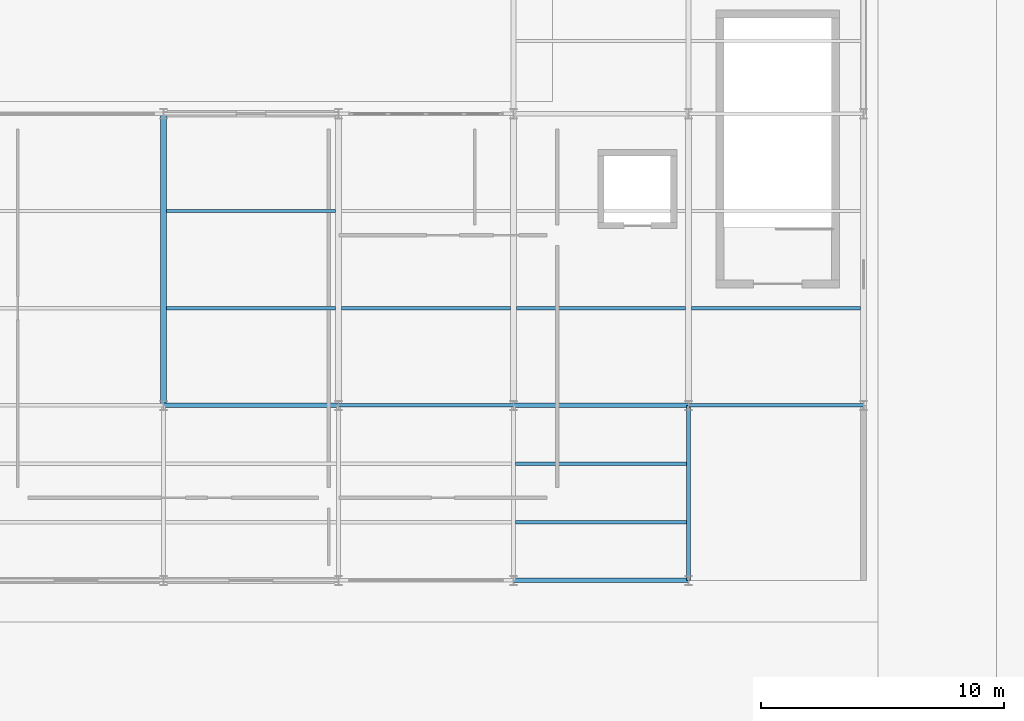
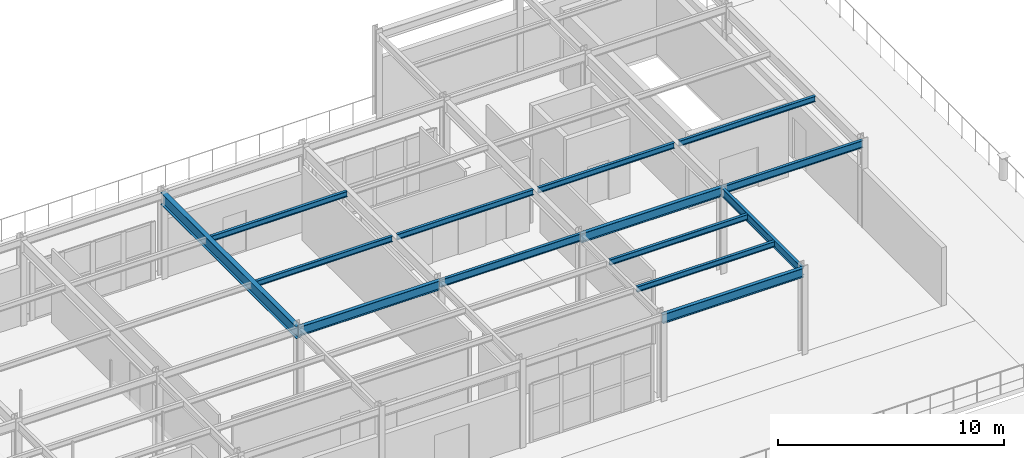
# One storey, part 21 of 41: 14 beams.
"""IFC4 building model written with IfcOpenShell, lengths in metres."""

import ifcopenshell
import ifcopenshell.guid

model = None  # the IFC model being written
_history = None  # IfcOwnerHistory: only IFC2X3 demands one
_inside = {}  # id of a spatial element -> (the spatial element, [elements in it])
_under = {}  # id of a project, library or spatial element -> (it, [spatial elements below it])
_declared = {}  # id of a project -> (the project, [libraries it declares])
_typed = {}  # id of a type object -> (the type object, [elements of that type])
_made_of = {}  # id of a material, layer set ... -> (it, [elements and type objects made of it])


def new_model(schema):
    """Start an empty IFC model of exactly this schema.

    Asked for "IFC4X3", IfcOpenShell would pick the latest addendum, in which some entities
    have other attributes; the version numbers below select the first issue.
    IFC2X3 requires an IfcOwnerHistory on every rooted entity: one is made here for all.
    """
    global model, _history
    if schema == "IFC4X3":
        model = ifcopenshell.file(schema_version=(4, 3, 0, 0))
    else:
        model = ifcopenshell.file(schema=schema)
    _inside.clear()
    _under.clear()
    _declared.clear()
    _typed.clear()
    _made_of.clear()
    _history = None
    if model.schema == "IFC2X3":
        org = make("IfcOrganization", Name="unknown")
        user = make(
            "IfcPersonAndOrganization",
            ThePerson=make("IfcPerson", FamilyName="unknown"),
            TheOrganization=org,
        )
        app = make(
            "IfcApplication",
            ApplicationDeveloper=org,
            Version="unknown",
            ApplicationFullName="unknown",
            ApplicationIdentifier="unknown",
        )
        _history = make(
            "IfcOwnerHistory",
            OwningUser=user,
            OwningApplication=app,
            ChangeAction="ADDED",
            CreationDate=0,
        )
    return model


def make(cls, **values):
    """One entity of the class cls with the attributes given. An attribute that is None is left unset."""
    return model.create_entity(
        cls, **{name: value for name, value in values.items() if value is not None}
    )


def rooted(cls, **values):
    """An entity with a GlobalId (a new one), such as an element, a storey or a relation."""
    return make(cls, GlobalId=ifcopenshell.guid.new(), OwnerHistory=_history, **values)


def si_unit(unit_type, name, prefix=None):
    """IfcSIUnit, for example si_unit("LENGTHUNIT", "METRE", prefix="MILLI")."""
    return make("IfcSIUnit", UnitType=unit_type, Prefix=prefix, Name=name)


def assignment(units):
    """IfcUnitAssignment: the units of a project."""
    return None if units is None else make("IfcUnitAssignment", Units=units)


def point(xyz):
    """IfcCartesianPoint."""
    return None if xyz is None else make("IfcCartesianPoint", Coordinates=xyz)


def direction(xyz):
    """IfcDirection."""
    return None if xyz is None else make("IfcDirection", DirectionRatios=xyz)


def frame(location, z_axis=None, x_axis=None):
    """IfcAxis2Placement3D, a coordinate frame: its origin and axes. An axis left out is left unset."""
    return make(
        "IfcAxis2Placement3D",
        Location=point(location),
        Axis=direction(z_axis),
        RefDirection=direction(x_axis),
    )


def frame_2d(location, x_axis=None):
    """IfcAxis2Placement2D, a coordinate frame in the plane: its origin and x axis."""
    return make(
        "IfcAxis2Placement2D", Location=point(location), RefDirection=direction(x_axis)
    )


def origin():
    """The frame at (0, 0, 0) with its axes left unset."""
    return frame((0.0, 0.0, 0.0))


def origin_2d():
    """The frame at (0, 0) in the plane with its x axis left unset."""
    return frame_2d((0.0, 0.0))


def place(relative_to, where):
    """IfcLocalPlacement: puts the frame where relative to a parent placement (None: the world)."""
    return make(
        "IfcLocalPlacement", PlacementRelTo=relative_to, RelativePlacement=where
    )


def context(
    kind, dimensions, precision=None, world=None, true_north=None, identifier=None
):
    """IfcGeometricRepresentationContext, for example the 3D "Model" context."""
    return make(
        "IfcGeometricRepresentationContext",
        ContextIdentifier=identifier,
        ContextType=kind,
        CoordinateSpaceDimension=dimensions,
        Precision=precision,
        WorldCoordinateSystem=world,
        TrueNorth=true_north,
    )


def subcontext(parent, identifier, kind, view, scale=None):
    """IfcGeometricRepresentationSubContext, for example "Body" below "Model"."""
    return make(
        "IfcGeometricRepresentationSubContext",
        ContextIdentifier=identifier,
        ContextType=kind,
        ParentContext=parent,
        TargetScale=scale,
        TargetView=view,
    )


def project(units=None, contexts=None):
    """IfcProject with its units and contexts."""
    return rooted(
        "IfcProject",
        Name="project",
        RepresentationContexts=contexts,
        UnitsInContext=assignment(units),
    )


def spatial(cls, under=None, at=None, **own):
    """A site, building, storey or space (cls), placed at a placement, below another one or the project."""
    s = rooted(cls, ObjectPlacement=at, **own)
    if under is not None:
        _under.setdefault(under.id(), (under, []))[1].append(s)
    return s


def profile(cls, at=None, kind="AREA", **sizes):
    """A parametric profile (cls). Its sizes go by their IFC names, for example OverallWidth=200.0."""
    return make(cls, ProfileType=kind, Position=at, **sizes)


def i_section(**sizes):
    """IfcIShapeProfileDef."""
    return profile("IfcIShapeProfileDef", **sizes)


def extrude(swept, where, along, depth):
    """IfcExtrudedAreaSolid: the profile swept, set in the frame where, extruded along a direction by depth."""
    return make(
        "IfcExtrudedAreaSolid",
        SweptArea=swept,
        Position=where,
        ExtrudedDirection=direction(along),
        Depth=depth,
    )


def shape(context_of_items, identifier, shape_type, items):
    """IfcShapeRepresentation: the items that make up one representation, for example the "Body"."""
    return make(
        "IfcShapeRepresentation",
        ContextOfItems=context_of_items,
        RepresentationIdentifier=identifier,
        RepresentationType=shape_type,
        Items=items,
    )


def material(Name=None, Category=None):
    """IfcMaterial."""
    return make("IfcMaterial", Name=Name, Category=Category)


def material_profile(
    of_material, cross_section, Name=None, Category=None, Priority=None
):
    """IfcMaterialProfile: a cross section and its material."""
    return make(
        "IfcMaterialProfile",
        Name=Name,
        Material=of_material,
        Profile=cross_section,
        Priority=Priority,
        Category=Category,
    )


def profile_set(profiles, Name=None, composite=None):
    """IfcMaterialProfileSet."""
    return make(
        "IfcMaterialProfileSet",
        Name=Name,
        MaterialProfiles=profiles,
        CompositeProfile=composite,
    )


def made_of(thing, what):
    """Note that an element or type object is made of a material, layer set ...; save() writes the relation."""
    if what is not None:
        _made_of.setdefault(what.id(), (what, []))[1].append(thing)
    return thing


def type_object(cls, material=None, **own):
    """A type object (cls), such as IfcWallType, which elements share."""
    return made_of(rooted(cls, **own), material)


def element(
    cls,
    number,
    at=None,
    inside=None,
    cuts=None,
    type_object=None,
    material=None,
    context=None,
    identifier="Body",
    shape_type=None,
    held_by="IfcProductDefinitionShape",
    body=None,
    shapes=None,
    **own,
):
    """One element of the class cls, such as IfcWall. Its Tag is "e" and its number.

    at: its placement. inside: the storey or other place that contains it. cuts: it is an
    opening in that element (IfcRelVoidsElement). A single representation is given by context,
    identifier, shape_type and body (its items); several are given by shapes. held_by: the class
    of the entity that holds the representations. save() writes the other relations.
    """
    e = rooted(cls, Tag="e%d" % number, ObjectPlacement=at, **own)
    if body is not None:
        shapes = [shape(context, identifier, shape_type, body)]
    if shapes is not None:
        e.Representation = make(held_by, Representations=shapes)
    if inside is not None:
        _inside.setdefault(inside.id(), (inside, []))[1].append(e)
    if cuts is not None:
        rooted(
            "IfcRelVoidsElement", RelatingBuildingElement=cuts, RelatedOpeningElement=e
        )
    if type_object is not None:
        _typed.setdefault(type_object.id(), (type_object, []))[1].append(e)
    return made_of(e, material)


def aggregate(whole, parts):
    """IfcRelAggregates: a whole, such as a stair, and the parts it consists of."""
    return rooted("IfcRelAggregates", RelatingObject=whole, RelatedObjects=parts)


def save(model, path):
    """Write the relations noted so far, then the file.

    IfcRelAggregates (storeys below a building ...), IfcRelContainedInSpatialStructure (elements
    in a storey), IfcRelDefinesByType, IfcRelAssociatesMaterial and IfcRelDeclares: one each for
    every whole, place, type object, material and project.
    """
    for whole, parts in _under.values():
        aggregate(whole, parts)
    for where, things in _inside.values():
        rooted(
            "IfcRelContainedInSpatialStructure",
            RelatedElements=things,
            RelatingStructure=where,
        )
    for kind, things in _typed.values():
        rooted("IfcRelDefinesByType", RelatedObjects=things, RelatingType=kind)
    for what, things in _made_of.values():
        rooted("IfcRelAssociatesMaterial", RelatedObjects=things, RelatingMaterial=what)
    for by, libraries in _declared.values():
        rooted("IfcRelDeclares", RelatingContext=by, RelatedDefinitions=libraries)
    model.write(path)


model = new_model("IFC4")

# Units and contexts
model_context = context("Model", 3, precision=1e-05, world=origin(), true_north=direction((0.0, 1.0)))
body_context = subcontext(model_context, "Body", "Model", "MODEL_VIEW")
ifc_project = project(units=[si_unit("LENGTHUNIT", "METRE"), si_unit("AREAUNIT", "SQUARE_METRE"), si_unit("VOLUMEUNIT", "CUBIC_METRE"), si_unit("PLANEANGLEUNIT", "RADIAN"), si_unit("MASSUNIT", "GRAM", prefix="KILO")], contexts=[model_context])

# Site, building, storey
site_placement = place(None, origin())
site = spatial("IfcSite", under=ifc_project, at=site_placement, CompositionType="ELEMENT")
building_placement = place(site_placement, origin())
building = spatial("IfcBuilding", under=site, at=building_placement, Name="Solvadek Multi-Sports Hall", CompositionType="ELEMENT")
storey_placement = place(building_placement, frame((0.0, 0.0, 14.39990234375)))
storey = spatial("IfcBuildingStorey", under=building, at=storey_placement, Name="L03", CompositionType="ELEMENT", Elevation=14.39990234375)

# Beams
ifc_material = material(Name="Steel E350 (350 MPa)", Category="steel")
ifc_material_profile_1 = material_profile(ifc_material, i_section(OverallWidth=0.139892578125, OverallDepth=0.39990234375, WebThickness=0.0087890625, FlangeThickness=0.01611328125, at=origin_2d()), Name="ISMB 400")
ifc_profile_set_1 = profile_set([ifc_material_profile_1], Name="Steel E350 (350 MPa)")
beam_type_1 = type_object("IfcBeamType", Name="STR-BM-ISMB400", PredefinedType="BEAM", material=ifc_profile_set_1)
for number, where, z_axis, x_axis, name in (
    (1, (43.199951171875, 92.39990234375, 4.400146484375), (1.0, 0.0, 0.0), (0.0, 1.0, 0.0), "L03 Girder B-10 #1640"),
    (2, (57.60009765625, 92.39990234375, 4.400146484375), (1.0, 0.0, 0.0), (0.0, 1.0, 0.0), "L03 Girder B-10 #1642"),
):
    element("IfcBeam", number, at=place(storey_placement, frame(where, z_axis=z_axis, x_axis=x_axis)), inside=storey, type_object=beam_type_1, Name=name, PredefinedType="BEAM", context=body_context, shape_type="SweptSolid", body=[
        extrude(i_section(OverallWidth=0.139892578125, OverallDepth=0.39990234375, WebThickness=0.0087890625, FlangeThickness=0.01611328125, at=origin_2d()), origin(), (0.0, 0.0, 1.0), 7.199951171875),
    ])
ifc_material_profile_2 = material_profile(ifc_material, i_section(OverallWidth=0.14990234375, OverallDepth=0.449951171875, WebThickness=0.009521484375, FlangeThickness=0.017333984375, at=origin_2d()), Name="ISMB 450")
ifc_profile_set_2 = profile_set([ifc_material_profile_2], Name="Steel E350 (350 MPa)")
beam_type_2 = type_object("IfcBeamType", Name="STR-BM-ISMB450", PredefinedType="BEAM", material=ifc_profile_set_2)
beam_1_placement = place(storey_placement, frame((57.60009765625, 85.199951171875, 4.375), z_axis=(0.0, 1.0, 0.0), x_axis=(-1.0, 0.0, 0.0)))
element("IfcBeam", 3, at=beam_1_placement, inside=storey, type_object=beam_type_2, Name="L03 Girder B-09 #1676", PredefinedType="BEAM", context=body_context, shape_type="SweptSolid", body=[
    extrude(i_section(OverallWidth=0.14990234375, OverallDepth=0.449951171875, WebThickness=0.009521484375, FlangeThickness=0.017333984375, at=origin_2d()), origin(), (0.0, 0.0, 1.0), 7.199951171875),
])
ifc_material_profile_3 = material_profile(ifc_material, i_section(OverallWidth=0.179931640625, OverallDepth=0.5, WebThickness=0.01025390625, FlangeThickness=0.01708984375, at=origin_2d()), Name="ISMB 500")
ifc_profile_set_3 = profile_set([ifc_material_profile_3], Name="Steel E350 (350 MPa)")
beam_type_3 = type_object("IfcBeamType", Name="STR-BM-ISMB500", PredefinedType="BEAM", material=ifc_profile_set_3)
beam_2_placement = place(storey_placement, frame((50.39990234375, 85.199951171875, 4.35009765625), z_axis=(1.0, 0.0, 0.0), x_axis=(0.0, 1.0, 0.0)))
element("IfcBeam", 4, at=beam_2_placement, inside=storey, type_object=beam_type_3, Name="L03 Girder B-07 #1635", PredefinedType="BEAM", context=body_context, shape_type="SweptSolid", body=[
    extrude(i_section(OverallWidth=0.179931640625, OverallDepth=0.5, WebThickness=0.01025390625, FlangeThickness=0.01708984375, at=origin_2d()), origin(), (0.0, 0.0, 1.0), 7.2001953125),
])
beam_3_placement = place(storey_placement, frame((36.0, 92.39990234375, 4.35009765625), z_axis=(1.0, 0.0, 0.0), x_axis=(0.0, 1.0, 0.0)))
element("IfcBeam", 5, at=beam_3_placement, inside=storey, type_object=beam_type_3, Name="L03 Girder B-07 #1639", PredefinedType="BEAM", context=body_context, shape_type="SweptSolid", body=[
    extrude(i_section(OverallWidth=0.179931640625, OverallDepth=0.5, WebThickness=0.01025390625, FlangeThickness=0.01708984375, at=origin_2d()), origin(), (0.0, 0.0, 1.0), 7.199951171875),
])
beam_4_placement = place(storey_placement, frame((50.39990234375, 92.39990234375, 4.35009765625), z_axis=(1.0, 0.0, 0.0), x_axis=(0.0, 1.0, 0.0)))
element("IfcBeam", 6, at=beam_4_placement, inside=storey, type_object=beam_type_3, Name="L03 Girder B-07 #1641", PredefinedType="BEAM", context=body_context, shape_type="SweptSolid", body=[
    extrude(i_section(OverallWidth=0.179931640625, OverallDepth=0.5, WebThickness=0.01025390625, FlangeThickness=0.01708984375, at=origin_2d()), origin(), (0.0, 0.0, 1.0), 7.2001953125),
])
ifc_material_profile_4 = material_profile(ifc_material, i_section(OverallWidth=0.239990234375, OverallDepth=0.64990234375, WebThickness=0.0126953125, FlangeThickness=0.0205078125, at=origin_2d()), Name="NPB 650")
ifc_profile_set_4 = profile_set([ifc_material_profile_4], Name="Steel E350 (350 MPa)")
beam_type_4 = type_object("IfcBeamType", Name="STR-BM-NPB650", PredefinedType="BEAM", material=ifc_profile_set_4)
beam_5_placement = place(storey_placement, frame((36.0, 92.39990234375, 4.275146484375), z_axis=(0.0, 1.0, 0.0), x_axis=(-1.0, 0.0, 0.0)))
element("IfcBeam", 7, at=beam_5_placement, inside=storey, type_object=beam_type_4, Name="L03 Girder B-03 #1667", PredefinedType="BEAM", context=body_context, shape_type="SweptSolid", body=[
    extrude(i_section(OverallWidth=0.239990234375, OverallDepth=0.64990234375, WebThickness=0.0126953125, FlangeThickness=0.0205078125, at=origin_2d()), origin(), (0.0, 0.0, 1.0), 12.0),
])
ifc_material_profile_5 = material_profile(ifc_material, i_section(OverallWidth=0.139892578125, OverallDepth=0.300048828125, WebThickness=0.0078125, FlangeThickness=0.01318359375, at=origin_2d()), Name="ISMB 300")
ifc_profile_set_5 = profile_set([ifc_material_profile_5], Name="Steel E350 (350 MPa)")
beam_type_5 = type_object("IfcBeamType", Name="STR-JST-ISMB300", PredefinedType="JOIST", material=ifc_profile_set_5)
for number, where, z_axis, x_axis, name in (
    (8, (50.47509765625, 87.60009765625, 4.4501953125), (1.0, 0.0, 0.0), (0.0, 1.0, 0.0), "L03 Composite Joist J-03 #932"),
    (9, (50.47509765625, 90.0, 4.4501953125), (1.0, 0.0, 0.0), (0.0, 1.0, 0.0), "L03 Composite Joist J-03 #933"),
):
    element("IfcBeam", number, at=place(storey_placement, frame(where, z_axis=z_axis, x_axis=x_axis)), inside=storey, type_object=beam_type_5, Name=name, PredefinedType="JOIST", context=body_context, shape_type="SweptSolid", body=[
        extrude(i_section(OverallWidth=0.139892578125, OverallDepth=0.300048828125, WebThickness=0.0078125, FlangeThickness=0.01318359375, at=origin_2d()), origin(), (0.0, 0.0, 1.0), 7.0498046875),
    ])
for number, where, z_axis, x_axis, name in (
    (10, (36.1201171875, 96.39990234375, 4.4501953125), (1.0, 0.0, 0.0), (0.0, 1.0, 0.0), "L03 Composite Joist J-03 #940"),
    (11, (36.1201171875, 100.39990234375, 4.4501953125), (1.0, 0.0, 0.0), (0.0, 1.0, 0.0), "L03 Composite Joist J-03 #941"),
    (12, (43.320068359375, 96.39990234375, 4.4501953125), (1.0, 0.0, 0.0), (0.0, 1.0, 0.0), "L03 Composite Joist J-03 #942"),
    (13, (50.52001953125, 96.39990234375, 4.4501953125), (1.0, 0.0, 0.0), (0.0, 1.0, 0.0), "L03 Composite Joist J-03 #944"),
    (14, (57.719970703125, 96.39990234375, 4.4501953125), (1.0, 0.0, 0.0), (0.0, 1.0, 0.0), "L03 Composite Joist J-03 #946"),
):
    element("IfcBeam", number, at=place(storey_placement, frame(where, z_axis=z_axis, x_axis=x_axis)), inside=storey, type_object=beam_type_5, Name=name, PredefinedType="JOIST", context=body_context, shape_type="SweptSolid", body=[
        extrude(i_section(OverallWidth=0.139892578125, OverallDepth=0.300048828125, WebThickness=0.0078125, FlangeThickness=0.01318359375, at=origin_2d()), origin(), (0.0, 0.0, 1.0), 6.9599609375),
    ])

save(model, "model.ifc")
